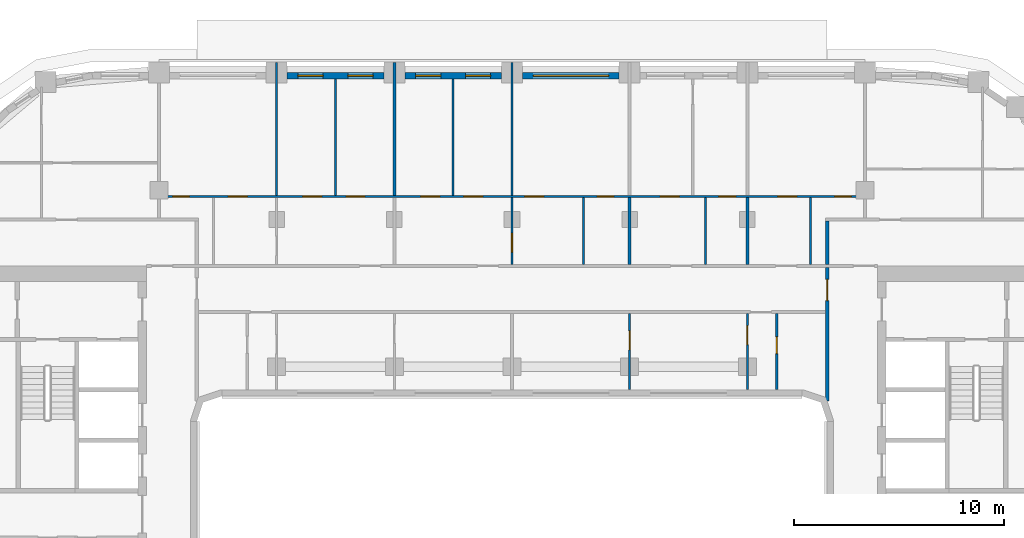
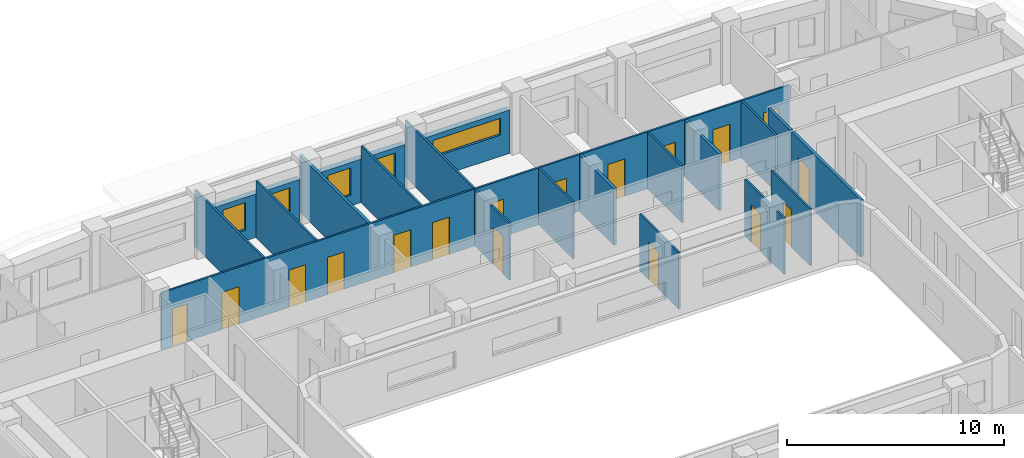
# One storey, part 8 of 22: 20 walls, 17 doors, 5 windows, 22 openings.
"""IFC4 building model written with IfcOpenShell, lengths in metres."""

from ifc_helpers import new_model, si_unit, direction, frame, frame_2d, origin, place, context, subcontext, project, spatial, rectangle, extrude, material, layer, layer_set, type_object, element, fill, save


model = new_model("IFC4")

# Units and contexts
model_context = context("Model", 3, precision=1e-05, world=origin(), true_north=direction((0.0, 1.0)))
body_context = subcontext(model_context, "Body", "Model", "MODEL_VIEW")
ifc_project = project(units=[si_unit("LENGTHUNIT", "METRE"), si_unit("AREAUNIT", "SQUARE_METRE"), si_unit("VOLUMEUNIT", "CUBIC_METRE"), si_unit("PLANEANGLEUNIT", "RADIAN"), si_unit("MASSUNIT", "GRAM", prefix="KILO")], contexts=[model_context])

# Site, building, storey
site_placement = place(None, origin())
site = spatial("IfcSite", under=ifc_project, at=site_placement, CompositionType="ELEMENT")
building_placement = place(site_placement, origin())
building = spatial("IfcBuilding", under=site, at=building_placement, Name="Kiln Ring Residences", CompositionType="ELEMENT")
storey_placement = place(building_placement, frame((0.0, 0.0, 171.10009765625)))
storey = spatial("IfcBuildingStorey", under=building, at=storey_placement, Name="L44", CompositionType="ELEMENT", Elevation=171.10009765625)

# Wall, opening, window
ifc_material_1 = material(Name="Brick masonry, dark clay brick", Category="masonry")
ifc_layer_1 = layer(ifc_material_1, 0.300048828125)
ifc_layer_set_1 = layer_set([ifc_layer_1], Name="EW-300 BRICK WALL")
wall_type_1 = type_object("IfcWallType", Name="EW-300 BRICK WALL", PredefinedType="SOLIDWALL", material=ifc_layer_set_1)
wall_1_placement = place(storey_placement, frame((5.10009765625, 22.25, 0.0), z_axis=(0.0, 0.0, 1.0), x_axis=(-1.0, 0.0, 0.0)))
wall_1 = element("IfcWall", 1, at=wall_1_placement, inside=storey, type_object=wall_type_1, Name="Facade wall L44 31", PredefinedType="SOLIDWALL", context=body_context, shape_type="SweptSolid", body=[
    extrude(rectangle(XDim=4.60009765625, YDim=0.300048828125, at=frame_2d((2.300048828125, 0.0))), origin(), (0.0, 0.0, 1.0), 2.449951171875),
])
opening_1_placement = place(wall_1_placement, frame((0.5, 0.0, 1.199951171875)))
opening_1 = element("IfcOpeningElement", 2, at=opening_1_placement, cuts=wall_1, Name="Opening W4", PredefinedType="OPENING", context=body_context, shape_type="SweptSolid", body=[
    extrude(rectangle(XDim=3.60009765625, YDim=0.949951171875, at=frame_2d((1.800048828125, 0.47509765625))), frame((0.0, 0.159912109375, 0.0), z_axis=(0.0, -1.0, 0.0), x_axis=(1.0, 0.0, 0.0)), (0.0, 0.0, 1.0), 0.320068359375),
])
ifc_material_2 = material(Name="Aluminium frame with double glazing", Category="aluminium")
window_type_1 = type_object("IfcWindowType", Name="WINDOW 3600 x 950", PartitioningType="SINGLE_PANEL", PredefinedType="WINDOW", material=ifc_material_2)
window_1_placement = place(opening_1_placement, origin())
window_1 = element("IfcWindow", 3, at=window_1_placement, inside=storey, type_object=window_type_1, Name="Window L44 20", OverallHeight=0.949951171875, OverallWidth=3.60009765625, PartitioningType="SINGLE_PANEL", PredefinedType="WINDOW", context=body_context, shape_type="SweptSolid", body=[
    extrude(rectangle(XDim=3.60009765625, YDim=0.949951171875, at=frame_2d((1.800048828125, 0.47509765625))), frame((0.0, 0.030029296875, 0.0), z_axis=(0.0, -1.0, 0.0), x_axis=(1.0, 0.0, 0.0)), (0.0, 0.0, 1.0), 0.06005859375),
])
fill(opening_1, window_1)

# Wall, openings, windows
wall_2_placement = place(storey_placement, frame((-0.5, 22.25, 0.0), z_axis=(0.0, 0.0, 1.0), x_axis=(-1.0, 0.0, 0.0)))
wall_2 = element("IfcWall", 4, at=wall_2_placement, inside=storey, type_object=wall_type_1, Name="Facade wall L44 32", PredefinedType="SOLIDWALL", context=body_context, shape_type="SweptSolid", body=[
    extrude(rectangle(XDim=4.60009765625, YDim=0.300048828125, at=frame_2d((2.300048828125, 0.0))), origin(), (0.0, 0.0, 1.0), 2.449951171875),
])
opening_2_placement = place(wall_2_placement, frame((0.512451171875, 0.0, 0.60009765625)))
opening_2 = element("IfcOpeningElement", 5, at=opening_2_placement, cuts=wall_2, Name="Opening W1", PredefinedType="OPENING", context=body_context, shape_type="SweptSolid", body=[
    extrude(rectangle(XDim=1.199951171875, YDim=1.550048828125, at=frame_2d((0.60009765625, 0.77490234375))), frame((0.0, 0.159912109375, 0.0), z_axis=(0.0, -1.0, 0.0), x_axis=(1.0, 0.0, 0.0)), (0.0, 0.0, 1.0), 0.320068359375),
])
opening_3_placement = place(wall_2_placement, frame((2.887451171875, 0.0, 0.60009765625)))
opening_3 = element("IfcOpeningElement", 6, at=opening_3_placement, cuts=wall_2, Name="Opening W1", PredefinedType="OPENING", context=body_context, shape_type="SweptSolid", body=[
    extrude(rectangle(XDim=1.199951171875, YDim=1.550048828125, at=frame_2d((0.60009765625, 0.77490234375))), frame((0.0, 0.159912109375, 0.0), z_axis=(0.0, -1.0, 0.0), x_axis=(1.0, 0.0, 0.0)), (0.0, 0.0, 1.0), 0.320068359375),
])
ifc_material_3 = material(Name="Aluminium frame with double glazing", Category="aluminium")
window_type_2 = type_object("IfcWindowType", Name="WINDOW 1200 x 1550", PartitioningType="SINGLE_PANEL", PredefinedType="WINDOW", material=ifc_material_3)
window_2_placement = place(opening_2_placement, origin())
window_2 = element("IfcWindow", 7, at=window_2_placement, inside=storey, type_object=window_type_2, Name="Window L44 21", OverallHeight=1.550048828125, OverallWidth=1.199951171875, PartitioningType="SINGLE_PANEL", PredefinedType="WINDOW", context=body_context, shape_type="SweptSolid", body=[
    extrude(rectangle(XDim=1.199951171875, YDim=1.550048828125, at=frame_2d((0.60009765625, 0.77490234375))), frame((0.0, 0.030029296875, 0.0), z_axis=(0.0, -1.0, 0.0), x_axis=(1.0, 0.0, 0.0)), (0.0, 0.0, 1.0), 0.06005859375),
])
fill(opening_2, window_2)
window_3_placement = place(opening_3_placement, origin())
window_3 = element("IfcWindow", 8, at=window_3_placement, inside=storey, type_object=window_type_2, Name="Window L44 22", OverallHeight=1.550048828125, OverallWidth=1.199951171875, PartitioningType="SINGLE_PANEL", PredefinedType="WINDOW", context=body_context, shape_type="SweptSolid", body=[
    extrude(rectangle(XDim=1.199951171875, YDim=1.550048828125, at=frame_2d((0.60009765625, 0.77490234375))), frame((0.0, 0.030029296875, 0.0), z_axis=(0.0, -1.0, 0.0), x_axis=(1.0, 0.0, 0.0)), (0.0, 0.0, 1.0), 0.06005859375),
])
fill(opening_3, window_3)

wall_3_placement = place(storey_placement, frame((-6.10009765625, 22.25, 0.0), z_axis=(0.0, 0.0, 1.0), x_axis=(-1.0, 0.0, 0.0)))
wall_3 = element("IfcWall", 9, at=wall_3_placement, inside=storey, type_object=wall_type_1, Name="Facade wall L44 33", PredefinedType="SOLIDWALL", context=body_context, shape_type="SweptSolid", body=[
    extrude(rectangle(XDim=4.599853515625, YDim=0.300048828125, at=frame_2d((2.2998046875, 0.0))), origin(), (0.0, 0.0, 1.0), 2.449951171875),
])
opening_4_placement = place(wall_3_placement, frame((0.512451171875, 0.0, 0.60009765625)))
opening_4 = element("IfcOpeningElement", 10, at=opening_4_placement, cuts=wall_3, Name="Opening W1", PredefinedType="OPENING", context=body_context, shape_type="SweptSolid", body=[
    extrude(rectangle(XDim=1.199951171875, YDim=1.550048828125, at=frame_2d((0.60009765625, 0.77490234375))), frame((0.0, 0.159912109375, 0.0), z_axis=(0.0, -1.0, 0.0), x_axis=(1.0, 0.0, 0.0)), (0.0, 0.0, 1.0), 0.320068359375),
])
opening_5_placement = place(wall_3_placement, frame((2.887451171875, 0.0, 0.60009765625)))
opening_5 = element("IfcOpeningElement", 11, at=opening_5_placement, cuts=wall_3, Name="Opening W1", PredefinedType="OPENING", context=body_context, shape_type="SweptSolid", body=[
    extrude(rectangle(XDim=1.199951171875, YDim=1.550048828125, at=frame_2d((0.60009765625, 0.77490234375))), frame((0.0, 0.159912109375, 0.0), z_axis=(0.0, -1.0, 0.0), x_axis=(1.0, 0.0, 0.0)), (0.0, 0.0, 1.0), 0.320068359375),
])
window_4_placement = place(opening_4_placement, origin())
window_4 = element("IfcWindow", 12, at=window_4_placement, inside=storey, type_object=window_type_2, Name="Window L44 23", OverallHeight=1.550048828125, OverallWidth=1.199951171875, PartitioningType="SINGLE_PANEL", PredefinedType="WINDOW", context=body_context, shape_type="SweptSolid", body=[
    extrude(rectangle(XDim=1.199951171875, YDim=1.550048828125, at=frame_2d((0.60009765625, 0.77490234375))), frame((0.0, 0.030029296875, 0.0), z_axis=(0.0, -1.0, 0.0), x_axis=(1.0, 0.0, 0.0)), (0.0, 0.0, 1.0), 0.06005859375),
])
fill(opening_4, window_4)
window_5_placement = place(opening_5_placement, origin())
window_5 = element("IfcWindow", 13, at=window_5_placement, inside=storey, type_object=window_type_2, Name="Window L44 24", OverallHeight=1.550048828125, OverallWidth=1.199951171875, PartitioningType="SINGLE_PANEL", PredefinedType="WINDOW", context=body_context, shape_type="SweptSolid", body=[
    extrude(rectangle(XDim=1.199951171875, YDim=1.550048828125, at=frame_2d((0.60009765625, 0.77490234375))), frame((0.0, 0.030029296875, 0.0), z_axis=(0.0, -1.0, 0.0), x_axis=(1.0, 0.0, 0.0)), (0.0, 0.0, 1.0), 0.06005859375),
])
fill(opening_5, window_5)

# Wall, openings, doors
ifc_material_4 = material(Name="Gypsum board on steel studs", Category="steel")
ifc_layer_2 = layer(ifc_material_4, 0.10009765625)
ifc_layer_set_2 = layer_set([ifc_layer_2], Name="PARTITION-100")
wall_type_2 = type_object("IfcWallType", Name="PARTITION-100", PredefinedType="PARTITIONING", material=ifc_layer_set_2)
wall_4_placement = place(storey_placement, frame((-16.72509765625, 16.5, 0.0), z_axis=(0.0, 0.0, 1.0), x_axis=(1.0, 0.0, 0.0)))
wall_4 = element("IfcWall", 14, at=wall_4_placement, inside=storey, type_object=wall_type_2, Name="Partition 011", PredefinedType="PARTITIONING", context=body_context, shape_type="SweptSolid", body=[
    extrude(rectangle(XDim=33.4501953125, YDim=0.10009765625, at=frame_2d((16.72509765625, 0.0))), origin(), (0.0, 0.0, 1.0), 3.199951171875),
])
opening_6_placement = place(wall_4_placement, frame((0.574951171875, 0.0, 0.0)))
opening_6 = element("IfcOpeningElement", 15, at=opening_6_placement, cuts=wall_4, Name="Opening L44-D019", PredefinedType="OPENING", context=body_context, shape_type="SweptSolid", body=[
    extrude(rectangle(XDim=0.800048828125, YDim=2.10009765625, at=frame_2d((0.39990234375, 1.050048828125))), frame((0.0, 0.06005859375, 0.0), z_axis=(0.0, -1.0, 0.0), x_axis=(1.0, 0.0, 0.0)), (0.0, 0.0, 1.0), 0.1201171875),
])
opening_7_placement = place(wall_4_placement, frame((3.22509765625, 0.0, 0.0)))
opening_7 = element("IfcOpeningElement", 16, at=opening_7_placement, cuts=wall_4, Name="Opening L44-D020", PredefinedType="OPENING", context=body_context, shape_type="SweptSolid", body=[
    extrude(rectangle(XDim=0.89990234375, YDim=2.10009765625, at=frame_2d((0.449951171875, 1.050048828125))), frame((0.0, 0.06005859375, 0.0), z_axis=(0.0, -1.0, 0.0), x_axis=(1.0, 0.0, 0.0)), (0.0, 0.0, 1.0), 0.1201171875),
])
opening_8_placement = place(wall_4_placement, frame((6.77490234375, 0.0, 0.0)))
opening_8 = element("IfcOpeningElement", 17, at=opening_8_placement, cuts=wall_4, Name="Opening L44-D021", PredefinedType="OPENING", context=body_context, shape_type="SweptSolid", body=[
    extrude(rectangle(XDim=0.89990234375, YDim=2.10009765625, at=frame_2d((0.449951171875, 1.050048828125))), frame((0.0, 0.06005859375, 0.0), z_axis=(0.0, -1.0, 0.0), x_axis=(1.0, 0.0, 0.0)), (0.0, 0.0, 1.0), 0.1201171875),
])
opening_9_placement = place(wall_4_placement, frame((8.824951171875, 0.0, 0.0)))
opening_9 = element("IfcOpeningElement", 18, at=opening_9_placement, cuts=wall_4, Name="Opening L44-D022", PredefinedType="OPENING", context=body_context, shape_type="SweptSolid", body=[
    extrude(rectangle(XDim=0.89990234375, YDim=2.10009765625, at=frame_2d((0.449951171875, 1.050048828125))), frame((0.0, 0.06005859375, 0.0), z_axis=(0.0, -1.0, 0.0), x_axis=(1.0, 0.0, 0.0)), (0.0, 0.0, 1.0), 0.1201171875),
])
opening_10_placement = place(wall_4_placement, frame((20.77490234375, 0.0, 0.0)))
opening_10 = element("IfcOpeningElement", 19, at=opening_10_placement, cuts=wall_4, Name="Opening L44-D025", PredefinedType="OPENING", context=body_context, shape_type="SweptSolid", body=[
    extrude(rectangle(XDim=0.800048828125, YDim=2.10009765625, at=frame_2d((0.39990234375, 1.050048828125))), frame((0.0, 0.06005859375, 0.0), z_axis=(0.0, -1.0, 0.0), x_axis=(1.0, 0.0, 0.0)), (0.0, 0.0, 1.0), 0.1201171875),
])
opening_11_placement = place(wall_4_placement, frame((17.324951171875, 0.0, 0.0)))
opening_11 = element("IfcOpeningElement", 20, at=opening_11_placement, cuts=wall_4, Name="Opening L44-D026", PredefinedType="OPENING", context=body_context, shape_type="SweptSolid", body=[
    extrude(rectangle(XDim=0.89990234375, YDim=2.10009765625, at=frame_2d((0.449951171875, 1.050048828125))), frame((0.0, 0.06005859375, 0.0), z_axis=(0.0, -1.0, 0.0), x_axis=(1.0, 0.0, 0.0)), (0.0, 0.0, 1.0), 0.1201171875),
])
opening_12_placement = place(wall_4_placement, frame((12.375, 0.0, 0.0)))
opening_12 = element("IfcOpeningElement", 21, at=opening_12_placement, cuts=wall_4, Name="Opening L44-D027", PredefinedType="OPENING", context=body_context, shape_type="SweptSolid", body=[
    extrude(rectangle(XDim=0.89990234375, YDim=2.10009765625, at=frame_2d((0.449951171875, 1.050048828125))), frame((0.0, 0.06005859375, 0.0), z_axis=(0.0, -1.0, 0.0), x_axis=(1.0, 0.0, 0.0)), (0.0, 0.0, 1.0), 0.1201171875),
])
opening_13_placement = place(wall_4_placement, frame((14.425048828125, 0.0, 0.0)))
opening_13 = element("IfcOpeningElement", 22, at=opening_13_placement, cuts=wall_4, Name="Opening L44-D028", PredefinedType="OPENING", context=body_context, shape_type="SweptSolid", body=[
    extrude(rectangle(XDim=0.89990234375, YDim=2.10009765625, at=frame_2d((0.449951171875, 1.050048828125))), frame((0.0, 0.06005859375, 0.0), z_axis=(0.0, -1.0, 0.0), x_axis=(1.0, 0.0, 0.0)), (0.0, 0.0, 1.0), 0.1201171875),
])
opening_14_placement = place(wall_4_placement, frame((26.574951171875, 0.0, 0.0)))
opening_14 = element("IfcOpeningElement", 23, at=opening_14_placement, cuts=wall_4, Name="Opening L44-D030", PredefinedType="OPENING", context=body_context, shape_type="SweptSolid", body=[
    extrude(rectangle(XDim=0.800048828125, YDim=2.10009765625, at=frame_2d((0.39990234375, 1.050048828125))), frame((0.0, 0.06005859375, 0.0), z_axis=(0.0, -1.0, 0.0), x_axis=(1.0, 0.0, 0.0)), (0.0, 0.0, 1.0), 0.1201171875),
])
opening_15_placement = place(wall_4_placement, frame((23.77490234375, 0.0, 0.0)))
opening_15 = element("IfcOpeningElement", 24, at=opening_15_placement, cuts=wall_4, Name="Opening L44-D031", PredefinedType="OPENING", context=body_context, shape_type="SweptSolid", body=[
    extrude(rectangle(XDim=0.89990234375, YDim=2.10009765625, at=frame_2d((0.449951171875, 1.050048828125))), frame((0.0, 0.06005859375, 0.0), z_axis=(0.0, -1.0, 0.0), x_axis=(1.0, 0.0, 0.0)), (0.0, 0.0, 1.0), 0.1201171875),
])
opening_16_placement = place(wall_4_placement, frame((32.074951171875, 0.0, 0.0)))
opening_16 = element("IfcOpeningElement", 25, at=opening_16_placement, cuts=wall_4, Name="Opening L44-D034", PredefinedType="OPENING", context=body_context, shape_type="SweptSolid", body=[
    extrude(rectangle(XDim=0.800048828125, YDim=2.10009765625, at=frame_2d((0.39990234375, 1.050048828125))), frame((0.0, 0.06005859375, 0.0), z_axis=(0.0, -1.0, 0.0), x_axis=(1.0, 0.0, 0.0)), (0.0, 0.0, 1.0), 0.1201171875),
])
opening_17_placement = place(wall_4_placement, frame((29.375, 0.0, 0.0)))
opening_17 = element("IfcOpeningElement", 26, at=opening_17_placement, cuts=wall_4, Name="Opening L44-D035", PredefinedType="OPENING", context=body_context, shape_type="SweptSolid", body=[
    extrude(rectangle(XDim=0.89990234375, YDim=2.10009765625, at=frame_2d((0.449951171875, 1.050048828125))), frame((0.0, 0.06005859375, 0.0), z_axis=(0.0, -1.0, 0.0), x_axis=(1.0, 0.0, 0.0)), (0.0, 0.0, 1.0), 0.1201171875),
])
ifc_material_5 = material(Name="Timber door leaf", Category="wood")
door_type_1 = type_object("IfcDoorType", Name="FLAT-DOOR-800-PL", OperationType="SINGLE_SWING_LEFT", PredefinedType="DOOR", material=ifc_material_5)
door_1_placement = place(opening_6_placement, origin())
door_1 = element("IfcDoor", 27, at=door_1_placement, inside=storey, type_object=door_type_1, Name="Door L44-D019", OperationType="SINGLE_SWING_LEFT", OverallHeight=2.10009765625, OverallWidth=0.800048828125, PredefinedType="DOOR", context=body_context, shape_type="SweptSolid", body=[
    extrude(rectangle(XDim=0.800048828125, YDim=2.10009765625, at=frame_2d((0.39990234375, 1.050048828125))), frame((0.0, 0.02490234375, 0.0), z_axis=(0.0, -1.0, 0.0), x_axis=(1.0, 0.0, 0.0)), (0.0, 0.0, 1.0), 0.050048828125),
])
fill(opening_6, door_1)
door_2_placement = place(opening_10_placement, origin())
door_2 = element("IfcDoor", 28, at=door_2_placement, inside=storey, type_object=door_type_1, Name="Door L44-D025", OperationType="SINGLE_SWING_LEFT", OverallHeight=2.10009765625, OverallWidth=0.800048828125, PredefinedType="DOOR", context=body_context, shape_type="SweptSolid", body=[
    extrude(rectangle(XDim=0.800048828125, YDim=2.10009765625, at=frame_2d((0.39990234375, 1.050048828125))), frame((0.0, 0.02490234375, 0.0), z_axis=(0.0, -1.0, 0.0), x_axis=(1.0, 0.0, 0.0)), (0.0, 0.0, 1.0), 0.050048828125),
])
fill(opening_10, door_2)
door_3_placement = place(opening_14_placement, origin())
door_3 = element("IfcDoor", 29, at=door_3_placement, inside=storey, type_object=door_type_1, Name="Door L44-D030", OperationType="SINGLE_SWING_RIGHT", OverallHeight=2.10009765625, OverallWidth=0.800048828125, PredefinedType="DOOR", context=body_context, shape_type="SweptSolid", body=[
    extrude(rectangle(XDim=0.800048828125, YDim=2.10009765625, at=frame_2d((0.39990234375, 1.050048828125))), frame((0.0, 0.02490234375, 0.0), z_axis=(0.0, -1.0, 0.0), x_axis=(1.0, 0.0, 0.0)), (0.0, 0.0, 1.0), 0.050048828125),
])
fill(opening_14, door_3)
door_4_placement = place(opening_16_placement, origin())
door_4 = element("IfcDoor", 30, at=door_4_placement, inside=storey, type_object=door_type_1, Name="Door L44-D034", OperationType="SINGLE_SWING_RIGHT", OverallHeight=2.10009765625, OverallWidth=0.800048828125, PredefinedType="DOOR", context=body_context, shape_type="SweptSolid", body=[
    extrude(rectangle(XDim=0.800048828125, YDim=2.10009765625, at=frame_2d((0.39990234375, 1.050048828125))), frame((0.0, 0.02490234375, 0.0), z_axis=(0.0, -1.0, 0.0), x_axis=(1.0, 0.0, 0.0)), (0.0, 0.0, 1.0), 0.050048828125),
])
fill(opening_16, door_4)
ifc_material_6 = material(Name="Timber door leaf", Category="wood")
door_type_2 = type_object("IfcDoorType", Name="FLAT-DOOR-900-PL", OperationType="SINGLE_SWING_LEFT", PredefinedType="DOOR", material=ifc_material_6)
door_5_placement = place(opening_7_placement, origin())
door_5 = element("IfcDoor", 31, at=door_5_placement, inside=storey, type_object=door_type_2, Name="Door L44-D020", OperationType="SINGLE_SWING_RIGHT", OverallHeight=2.10009765625, OverallWidth=0.89990234375, PredefinedType="DOOR", context=body_context, shape_type="SweptSolid", body=[
    extrude(rectangle(XDim=0.89990234375, YDim=2.10009765625, at=frame_2d((0.449951171875, 1.050048828125))), frame((0.0, 0.02490234375, 0.0), z_axis=(0.0, -1.0, 0.0), x_axis=(1.0, 0.0, 0.0)), (0.0, 0.0, 1.0), 0.050048828125),
])
fill(opening_7, door_5)
door_6_placement = place(opening_8_placement, origin())
door_6 = element("IfcDoor", 32, at=door_6_placement, inside=storey, type_object=door_type_2, Name="Door L44-D021", OperationType="SINGLE_SWING_LEFT", OverallHeight=2.10009765625, OverallWidth=0.89990234375, PredefinedType="DOOR", context=body_context, shape_type="SweptSolid", body=[
    extrude(rectangle(XDim=0.89990234375, YDim=2.10009765625, at=frame_2d((0.449951171875, 1.050048828125))), frame((0.0, 0.02490234375, 0.0), z_axis=(0.0, -1.0, 0.0), x_axis=(1.0, 0.0, 0.0)), (0.0, 0.0, 1.0), 0.050048828125),
])
fill(opening_8, door_6)
door_7_placement = place(opening_9_placement, origin())
door_7 = element("IfcDoor", 33, at=door_7_placement, inside=storey, type_object=door_type_2, Name="Door L44-D022", OperationType="SINGLE_SWING_RIGHT", OverallHeight=2.10009765625, OverallWidth=0.89990234375, PredefinedType="DOOR", context=body_context, shape_type="SweptSolid", body=[
    extrude(rectangle(XDim=0.89990234375, YDim=2.10009765625, at=frame_2d((0.449951171875, 1.050048828125))), frame((0.0, 0.02490234375, 0.0), z_axis=(0.0, -1.0, 0.0), x_axis=(1.0, 0.0, 0.0)), (0.0, 0.0, 1.0), 0.050048828125),
])
fill(opening_9, door_7)
door_8_placement = place(opening_11_placement, origin())
door_8 = element("IfcDoor", 34, at=door_8_placement, inside=storey, type_object=door_type_2, Name="Door L44-D026", OperationType="SINGLE_SWING_RIGHT", OverallHeight=2.10009765625, OverallWidth=0.89990234375, PredefinedType="DOOR", context=body_context, shape_type="SweptSolid", body=[
    extrude(rectangle(XDim=0.89990234375, YDim=2.10009765625, at=frame_2d((0.449951171875, 1.050048828125))), frame((0.0, 0.02490234375, 0.0), z_axis=(0.0, -1.0, 0.0), x_axis=(1.0, 0.0, 0.0)), (0.0, 0.0, 1.0), 0.050048828125),
])
fill(opening_11, door_8)
door_9_placement = place(opening_12_placement, origin())
door_9 = element("IfcDoor", 35, at=door_9_placement, inside=storey, type_object=door_type_2, Name="Door L44-D027", OperationType="SINGLE_SWING_LEFT", OverallHeight=2.10009765625, OverallWidth=0.89990234375, PredefinedType="DOOR", context=body_context, shape_type="SweptSolid", body=[
    extrude(rectangle(XDim=0.89990234375, YDim=2.10009765625, at=frame_2d((0.449951171875, 1.050048828125))), frame((0.0, 0.02490234375, 0.0), z_axis=(0.0, -1.0, 0.0), x_axis=(1.0, 0.0, 0.0)), (0.0, 0.0, 1.0), 0.050048828125),
])
fill(opening_12, door_9)
door_10_placement = place(opening_13_placement, origin())
door_10 = element("IfcDoor", 36, at=door_10_placement, inside=storey, type_object=door_type_2, Name="Door L44-D028", OperationType="SINGLE_SWING_RIGHT", OverallHeight=2.10009765625, OverallWidth=0.89990234375, PredefinedType="DOOR", context=body_context, shape_type="SweptSolid", body=[
    extrude(rectangle(XDim=0.89990234375, YDim=2.10009765625, at=frame_2d((0.449951171875, 1.050048828125))), frame((0.0, 0.02490234375, 0.0), z_axis=(0.0, -1.0, 0.0), x_axis=(1.0, 0.0, 0.0)), (0.0, 0.0, 1.0), 0.050048828125),
])
fill(opening_13, door_10)
door_11_placement = place(opening_15_placement, origin())
door_11 = element("IfcDoor", 37, at=door_11_placement, inside=storey, type_object=door_type_2, Name="Door L44-D031", OperationType="SINGLE_SWING_LEFT", OverallHeight=2.10009765625, OverallWidth=0.89990234375, PredefinedType="DOOR", context=body_context, shape_type="SweptSolid", body=[
    extrude(rectangle(XDim=0.89990234375, YDim=2.10009765625, at=frame_2d((0.449951171875, 1.050048828125))), frame((0.0, 0.02490234375, 0.0), z_axis=(0.0, -1.0, 0.0), x_axis=(1.0, 0.0, 0.0)), (0.0, 0.0, 1.0), 0.050048828125),
])
fill(opening_15, door_11)
door_12_placement = place(opening_17_placement, origin())
door_12 = element("IfcDoor", 38, at=door_12_placement, inside=storey, type_object=door_type_2, Name="Door L44-D035", OperationType="SINGLE_SWING_LEFT", OverallHeight=2.10009765625, OverallWidth=0.89990234375, PredefinedType="DOOR", context=body_context, shape_type="SweptSolid", body=[
    extrude(rectangle(XDim=0.89990234375, YDim=2.10009765625, at=frame_2d((0.449951171875, 1.050048828125))), frame((0.0, 0.02490234375, 0.0), z_axis=(0.0, -1.0, 0.0), x_axis=(1.0, 0.0, 0.0)), (0.0, 0.0, 1.0), 0.050048828125),
])
fill(opening_17, door_12)

# Walls
wall_5_placement = place(storey_placement, frame((-11.199951171875, 16.550048828125, 0.0), z_axis=(0.0, 0.0, 1.0), x_axis=(0.0, 1.0, 0.0)))
element("IfcWall", 39, at=wall_5_placement, inside=storey, type_object=wall_type_2, Name="Partition 031", PredefinedType="PARTITIONING", context=body_context, shape_type="SweptSolid", body=[
    extrude(rectangle(XDim=6.329833984375, YDim=0.10009765625, at=frame_2d((3.1650390625, 0.0))), origin(), (0.0, 0.0, 1.0), 3.199951171875),
])
for number, where, z_axis, x_axis, name in (
    (40, (-8.39990234375, 16.550048828125, 0.0), (0.0, 0.0, 1.0), (0.0, 1.0, 0.0), "Partition 032"),
    (41, (-2.800048828125, 16.550048828125, 0.0), (0.0, 0.0, 1.0), (0.0, 1.0, 0.0), "Partition 039"),
):
    element("IfcWall", number, at=place(storey_placement, frame(where, z_axis=z_axis, x_axis=x_axis)), inside=storey, type_object=wall_type_2, Name=name, PredefinedType="PARTITIONING", context=body_context, shape_type="SweptSolid", body=[
        extrude(rectangle(XDim=5.530029296875, YDim=0.10009765625, at=frame_2d((2.76513671875, 0.0))), origin(), (0.0, 0.0, 1.0), 3.199951171875),
    ])

# Wall, opening, door
wall_6_placement = place(storey_placement, frame((0.0, 13.27490234375, 0.0), z_axis=(0.0, 0.0, 1.0), x_axis=(0.0, 1.0, 0.0)))
wall_6 = element("IfcWall", 42, at=wall_6_placement, inside=storey, type_object=wall_type_2, Name="Partition 043", PredefinedType="PARTITIONING", context=body_context, shape_type="SweptSolid", body=[
    extrude(rectangle(XDim=3.175048828125, YDim=0.10009765625, at=frame_2d((1.58740234375, 0.0))), origin(), (0.0, 0.0, 1.0), 3.199951171875),
])
opening_18_placement = place(wall_6_placement, frame((0.575927734375, 0.0, 0.0)))
opening_18 = element("IfcOpeningElement", 43, at=opening_18_placement, cuts=wall_6, Name="Opening L44-D024", PredefinedType="OPENING", context=body_context, shape_type="SweptSolid", body=[
    extrude(rectangle(XDim=0.89990234375, YDim=2.10009765625, at=frame_2d((0.449951171875, 1.050048828125))), frame((0.0, 0.06005859375, 0.0), z_axis=(0.0, -1.0, 0.0), x_axis=(1.0, 0.0, 0.0)), (0.0, 0.0, 1.0), 0.1201171875),
])
door_13_placement = place(opening_18_placement, origin())
door_13 = element("IfcDoor", 44, at=door_13_placement, inside=storey, type_object=door_type_2, Name="Door L44-D024", OperationType="SINGLE_SWING_LEFT", OverallHeight=2.10009765625, OverallWidth=0.89990234375, PredefinedType="DOOR", context=body_context, shape_type="SweptSolid", body=[
    extrude(rectangle(XDim=0.89990234375, YDim=2.10009765625, at=frame_2d((0.449951171875, 1.050048828125))), frame((0.0, 0.02490234375, 0.0), z_axis=(0.0, -1.0, 0.0), x_axis=(1.0, 0.0, 0.0)), (0.0, 0.0, 1.0), 0.050048828125),
])
fill(opening_18, door_13)

# Walls
wall_7_placement = place(storey_placement, frame((0.0, 16.550048828125, 0.0), z_axis=(0.0, 0.0, 1.0), x_axis=(0.0, 1.0, 0.0)))
element("IfcWall", 45, at=wall_7_placement, inside=storey, type_object=wall_type_2, Name="Partition 044", PredefinedType="PARTITIONING", context=body_context, shape_type="SweptSolid", body=[
    extrude(rectangle(XDim=6.329833984375, YDim=0.10009765625, at=frame_2d((3.1650390625, 0.0))), origin(), (0.0, 0.0, 1.0), 3.199951171875),
])
wall_8_placement = place(storey_placement, frame((3.39990234375, 13.27490234375, 0.0), z_axis=(0.0, 0.0, 1.0), x_axis=(0.0, 1.0, 0.0)))
element("IfcWall", 46, at=wall_8_placement, inside=storey, type_object=wall_type_2, Name="Partition 048", PredefinedType="PARTITIONING", context=body_context, shape_type="SweptSolid", body=[
    extrude(rectangle(XDim=3.175048828125, YDim=0.10009765625, at=frame_2d((1.58740234375, 0.0))), origin(), (0.0, 0.0, 1.0), 3.199951171875),
])

# Wall, opening, door
wall_9_placement = place(storey_placement, frame((5.60009765625, 7.320068359375, 0.0), z_axis=(0.0, 0.0, 1.0), x_axis=(0.0, 1.0, 0.0)))
wall_9 = element("IfcWall", 47, at=wall_9_placement, inside=storey, type_object=wall_type_2, Name="Partition 050", PredefinedType="PARTITIONING", context=body_context, shape_type="SweptSolid", body=[
    extrude(rectangle(XDim=3.60498046875, YDim=0.10009765625, at=frame_2d((1.802490234375, 0.0))), origin(), (0.0, 0.0, 1.0), 3.199951171875),
])
opening_19_placement = place(wall_9_placement, frame((1.87890625, 0.0, 0.0)))
opening_19 = element("IfcOpeningElement", 48, at=opening_19_placement, cuts=wall_9, Name="Opening L44-D016", PredefinedType="OPENING", context=body_context, shape_type="SweptSolid", body=[
    extrude(rectangle(XDim=0.89990234375, YDim=2.10009765625, at=frame_2d((0.449951171875, 1.050048828125))), frame((0.0, 0.06005859375, 0.0), z_axis=(0.0, -1.0, 0.0), x_axis=(1.0, 0.0, 0.0)), (0.0, 0.0, 1.0), 0.1201171875),
])
door_14_placement = place(opening_19_placement, origin())
door_14 = element("IfcDoor", 49, at=door_14_placement, inside=storey, type_object=door_type_2, Name="Door L44-D016", OperationType="SINGLE_SWING_LEFT", OverallHeight=2.10009765625, OverallWidth=0.89990234375, PredefinedType="DOOR", context=body_context, shape_type="SweptSolid", body=[
    extrude(rectangle(XDim=0.89990234375, YDim=2.10009765625, at=frame_2d((0.449951171875, 1.050048828125))), frame((0.0, 0.02490234375, 0.0), z_axis=(0.0, -1.0, 0.0), x_axis=(1.0, 0.0, 0.0)), (0.0, 0.0, 1.0), 0.050048828125),
])
fill(opening_19, door_14)

# Wall
wall_10_placement = place(storey_placement, frame((9.199951171875, 13.27490234375, 0.0), z_axis=(0.0, 0.0, 1.0), x_axis=(0.0, 1.0, 0.0)))
element("IfcWall", 50, at=wall_10_placement, inside=storey, type_object=wall_type_2, Name="Partition 056", PredefinedType="PARTITIONING", context=body_context, shape_type="SweptSolid", body=[
    extrude(rectangle(XDim=3.175048828125, YDim=0.10009765625, at=frame_2d((1.58740234375, 0.0))), origin(), (0.0, 0.0, 1.0), 3.199951171875),
])

# Wall, opening, door
wall_11_placement = place(storey_placement, frame((11.199951171875, 7.320068359375, 0.0), z_axis=(0.0, 0.0, 1.0), x_axis=(0.0, 1.0, 0.0)))
wall_11 = element("IfcWall", 51, at=wall_11_placement, inside=storey, type_object=wall_type_2, Name="Partition 060", PredefinedType="PARTITIONING", context=body_context, shape_type="SweptSolid", body=[
    extrude(rectangle(XDim=3.60498046875, YDim=0.10009765625, at=frame_2d((1.802490234375, 0.0))), origin(), (0.0, 0.0, 1.0), 3.199951171875),
])
opening_20_placement = place(wall_11_placement, frame((2.12890625, 0.0, 0.0)))
opening_20 = element("IfcOpeningElement", 52, at=opening_20_placement, cuts=wall_11, Name="Opening L44-D015", PredefinedType="OPENING", context=body_context, shape_type="SweptSolid", body=[
    extrude(rectangle(XDim=0.89990234375, YDim=2.10009765625, at=frame_2d((0.449951171875, 1.050048828125))), frame((0.0, 0.06005859375, 0.0), z_axis=(0.0, -1.0, 0.0), x_axis=(1.0, 0.0, 0.0)), (0.0, 0.0, 1.0), 0.1201171875),
])
door_15_placement = place(opening_20_placement, origin())
door_15 = element("IfcDoor", 53, at=door_15_placement, inside=storey, type_object=door_type_2, Name="Door L44-D015", OperationType="SINGLE_SWING_LEFT", OverallHeight=2.10009765625, OverallWidth=0.89990234375, PredefinedType="DOOR", context=body_context, shape_type="SweptSolid", body=[
    extrude(rectangle(XDim=0.89990234375, YDim=2.10009765625, at=frame_2d((0.449951171875, 1.050048828125))), frame((0.0, 0.02490234375, 0.0), z_axis=(0.0, -1.0, 0.0), x_axis=(1.0, 0.0, 0.0)), (0.0, 0.0, 1.0), 0.050048828125),
])
fill(opening_20, door_15)

wall_12_placement = place(storey_placement, frame((12.60009765625, 7.320068359375, 0.0), z_axis=(0.0, 0.0, 1.0), x_axis=(0.0, 1.0, 0.0)))
wall_12 = element("IfcWall", 54, at=wall_12_placement, inside=storey, type_object=wall_type_2, Name="Partition 063", PredefinedType="PARTITIONING", context=body_context, shape_type="SweptSolid", body=[
    extrude(rectangle(XDim=3.60498046875, YDim=0.10009765625, at=frame_2d((1.802490234375, 0.0))), origin(), (0.0, 0.0, 1.0), 3.199951171875),
])
opening_21_placement = place(wall_12_placement, frame((1.699951171875, 0.0, 0.0)))
opening_21 = element("IfcOpeningElement", 55, at=opening_21_placement, cuts=wall_12, Name="Opening L44-D014", PredefinedType="OPENING", context=body_context, shape_type="SweptSolid", body=[
    extrude(rectangle(XDim=0.800048828125, YDim=2.10009765625, at=frame_2d((0.39990234375, 1.050048828125))), frame((0.0, 0.06005859375, 0.0), z_axis=(0.0, -1.0, 0.0), x_axis=(1.0, 0.0, 0.0)), (0.0, 0.0, 1.0), 0.1201171875),
])
door_16_placement = place(opening_21_placement, origin())
door_16 = element("IfcDoor", 56, at=door_16_placement, inside=storey, type_object=door_type_1, Name="Door L44-D014", OperationType="SINGLE_SWING_RIGHT", OverallHeight=2.10009765625, OverallWidth=0.800048828125, PredefinedType="DOOR", context=body_context, shape_type="SweptSolid", body=[
    extrude(rectangle(XDim=0.800048828125, YDim=2.10009765625, at=frame_2d((0.39990234375, 1.050048828125))), frame((0.0, 0.02490234375, 0.0), z_axis=(0.0, -1.0, 0.0), x_axis=(1.0, 0.0, 0.0)), (0.0, 0.0, 1.0), 0.050048828125),
])
fill(opening_21, door_16)

# Walls
wall_13_placement = place(storey_placement, frame((14.199951171875, 13.27490234375, 0.0), z_axis=(0.0, 0.0, 1.0), x_axis=(0.0, 1.0, 0.0)))
element("IfcWall", 57, at=wall_13_placement, inside=storey, type_object=wall_type_2, Name="Partition 064", PredefinedType="PARTITIONING", context=body_context, shape_type="SweptSolid", body=[
    extrude(rectangle(XDim=3.175048828125, YDim=0.10009765625, at=frame_2d((1.58740234375, 0.0))), origin(), (0.0, 0.0, 1.0), 3.199951171875),
])
ifc_material_7 = material(Name="Brick masonry partition", Category="masonry")
ifc_layer_3 = layer(ifc_material_7, 0.14990234375)
ifc_layer_set_3 = layer_set([ifc_layer_3], Name="PARTITION-150-ei60")
wall_type_3 = type_object("IfcWallType", Name="PARTITION-150-ei60", PredefinedType="PARTITIONING", material=ifc_layer_set_3)
wall_14_placement = place(storey_placement, frame((-5.60009765625, 16.550048828125, 0.0), z_axis=(0.0, 0.0, 1.0), x_axis=(0.0, 1.0, 0.0)))
element("IfcWall", 58, at=wall_14_placement, inside=storey, type_object=wall_type_3, Name="Partition 038", PredefinedType="PARTITIONING", context=body_context, shape_type="SweptSolid", body=[
    extrude(rectangle(XDim=6.329833984375, YDim=0.14990234375, at=frame_2d((3.1650390625, 0.0))), origin(), (0.0, 0.0, 1.0), 3.199951171875),
])
for number, where, z_axis, x_axis, name in (
    (59, (5.60009765625, 13.27490234375, 0.0), (0.0, 0.0, 1.0), (0.0, 1.0, 0.0), "Partition 053"),
    (60, (11.199951171875, 13.27490234375, 0.0), (0.0, 0.0, 1.0), (0.0, 1.0, 0.0), "Partition 061"),
):
    element("IfcWall", number, at=place(storey_placement, frame(where, z_axis=z_axis, x_axis=x_axis)), inside=storey, type_object=wall_type_3, Name=name, PredefinedType="PARTITIONING", context=body_context, shape_type="SweptSolid", body=[
        extrude(rectangle(XDim=3.175048828125, YDim=0.14990234375, at=frame_2d((1.58740234375, 0.0))), origin(), (0.0, 0.0, 1.0), 3.199951171875),
    ])

# Wall, opening, door
wall_15_placement = place(storey_placement, frame((15.0, 6.768798828125, 0.0), z_axis=(0.0, 0.0, 1.0), x_axis=(0.0, 1.0, 0.0)))
wall_15 = element("IfcWall", 61, at=wall_15_placement, inside=storey, type_object=wall_type_3, Name="Partition 067", PredefinedType="PARTITIONING", context=body_context, shape_type="SweptSolid", body=[
    extrude(rectangle(XDim=6.356201171875, YDim=0.14990234375, at=frame_2d((3.17822265625, 0.0))), origin(), (0.0, 0.0, 1.0), 3.199951171875),
])
opening_22_placement = place(wall_15_placement, frame((4.78125, 0.0, 0.0)))
opening_22 = element("IfcOpeningElement", 62, at=opening_22_placement, cuts=wall_15, Name="Opening L44-D002", PredefinedType="OPENING", context=body_context, shape_type="SweptSolid", body=[
    extrude(rectangle(XDim=1.0, YDim=2.10009765625, at=frame_2d((0.5, 1.050048828125))), frame((0.0, 0.0849609375, 0.0), z_axis=(0.0, -1.0, 0.0), x_axis=(1.0, 0.0, 0.0)), (0.0, 0.0, 1.0), 0.169921875),
])
ifc_material_8 = material(Name="Steel faced fire door leaf", Category="steel")
door_type_3 = type_object("IfcDoorType", Name="FLAT-DOOR-1000-FR", OperationType="SINGLE_SWING_LEFT", PredefinedType="DOOR", material=ifc_material_8)
door_17_placement = place(opening_22_placement, origin())
door_17 = element("IfcDoor", 63, at=door_17_placement, inside=storey, type_object=door_type_3, Name="Door L44-D002", OperationType="SINGLE_SWING_LEFT", OverallHeight=2.10009765625, OverallWidth=1.0, PredefinedType="DOOR", context=body_context, shape_type="SweptSolid", body=[
    extrude(rectangle(XDim=1.0, YDim=2.10009765625, at=frame_2d((0.5, 1.050048828125))), frame((0.0, 0.02490234375, 0.0), z_axis=(0.0, -1.0, 0.0), x_axis=(1.0, 0.0, 0.0)), (0.0, 0.0, 1.0), 0.050048828125),
])
fill(opening_22, door_17)

# Wall
wall_16_placement = place(storey_placement, frame((15.0, 13.27490234375, 0.0), z_axis=(0.0, 0.0, 1.0), x_axis=(0.0, 1.0, 0.0)))
element("IfcWall", 64, at=wall_16_placement, inside=storey, type_object=wall_type_3, Name="Partition 068", PredefinedType="PARTITIONING", context=body_context, shape_type="SweptSolid", body=[
    extrude(rectangle(XDim=2.050048828125, YDim=0.14990234375, at=frame_2d((1.02490234375, 0.0))), origin(), (0.0, 0.0, 1.0), 3.199951171875),
])

save(model, "model.ifc")
